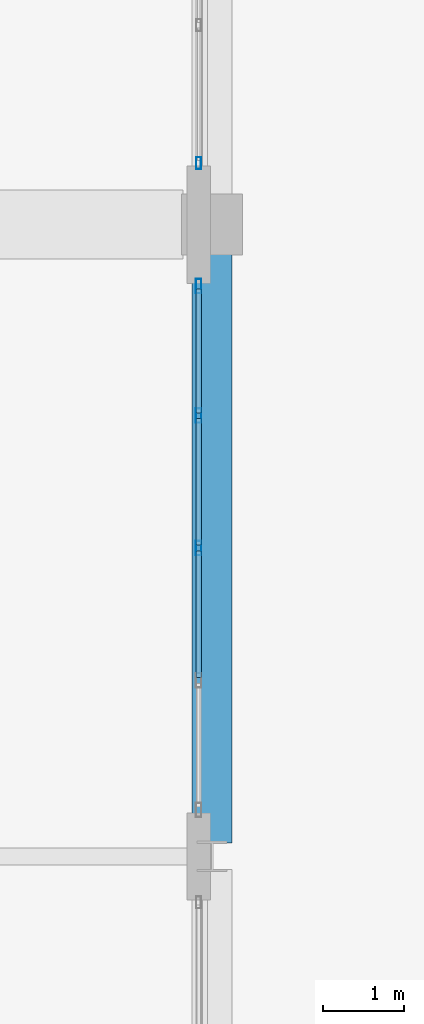
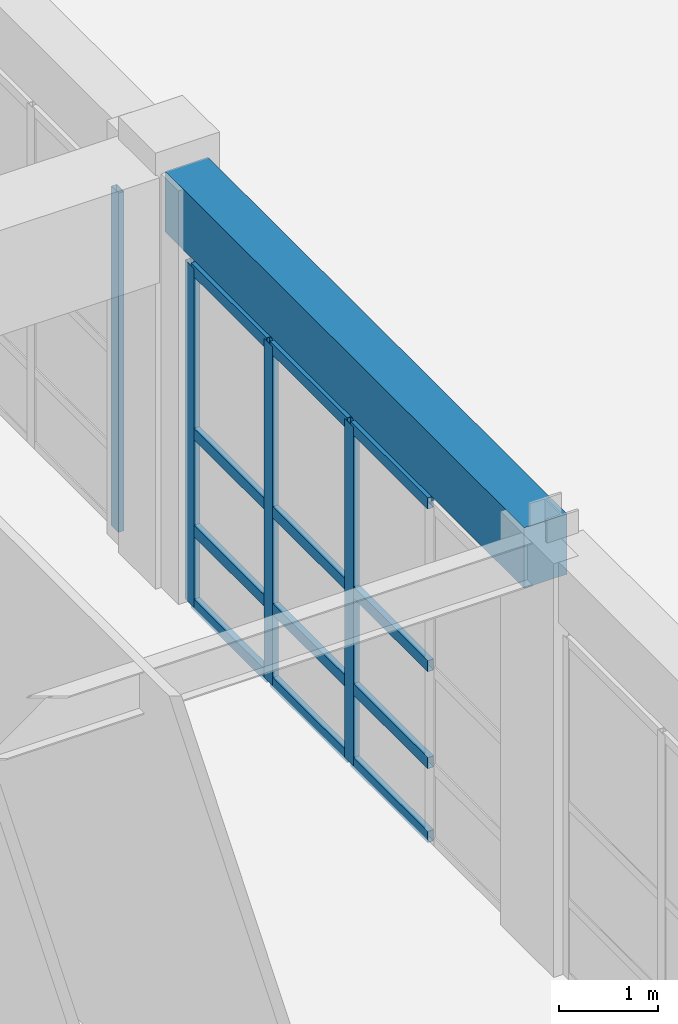
# One storey, part 20 of 148: 16 members, 1 beam, 2 elements without a shape of their own.
"""IFC4 building model written with IfcOpenShell, lengths in metres."""

from ifc_helpers import new_model, si_unit, direction, frame, origin, origin_2d, place, context, subcontext, project, spatial, rectangle, hollow_rectangle, extrude, material, layer, layer_set, material_profile, profile_set, type_object, element, aggregate, save


model = new_model("IFC4")

# Units and contexts
model_context = context("Model", 3, precision=1e-05, world=origin(), true_north=direction((0.0, 1.0)))
body_context = subcontext(model_context, "Body", "Model", "MODEL_VIEW")
ifc_project = project(units=[si_unit("LENGTHUNIT", "METRE"), si_unit("AREAUNIT", "SQUARE_METRE"), si_unit("VOLUMEUNIT", "CUBIC_METRE"), si_unit("PLANEANGLEUNIT", "RADIAN"), si_unit("MASSUNIT", "GRAM", prefix="KILO")], contexts=[model_context])

# Site, building, storey
site_placement = place(None, origin())
site = spatial("IfcSite", under=ifc_project, at=site_placement, CompositionType="ELEMENT")
building_placement = place(site_placement, origin())
building = spatial("IfcBuilding", under=site, at=building_placement, Name="Quendrovan Civic Courthouse", CompositionType="ELEMENT")
storey_placement = place(building_placement, origin())
storey = spatial("IfcBuildingStorey", under=building, at=storey_placement, Name="L01", CompositionType="ELEMENT", Elevation=0.0)

# Beam
ifc_material_1 = material(Name="Concrete C40/50", Category="concrete")
ifc_material_profile_1 = material_profile(ifc_material_1, rectangle(XDim=0.5, YDim=0.75, at=origin_2d()), Name="RC-BM-500x750")
ifc_profile_set_1 = profile_set([ifc_material_profile_1], Name="Concrete C40/50")
beam_type = type_object("IfcBeamType", Name="BM-RC750", PredefinedType="SPANDREL", material=ifc_profile_set_1)
beam_placement = place(storey_placement, frame((16.800048828125, 23.56591796875, 4.7451171875), z_axis=(0.0, 1.0, 0.0), x_axis=(-1.0, 0.0, 0.0)))
element("IfcBeam", 1, at=beam_placement, inside=storey, type_object=beam_type, Name="L01 Girder Y0390", PredefinedType="SPANDREL", context=body_context, shape_type="SweptSolid", body=[
    extrude(rectangle(XDim=0.5, YDim=0.75, at=origin_2d()), origin(), (0.0, 0.0, 1.0), 7.279052734375),
])

# Curtain wall, members
ifc_material_2 = material(Name="Bronze anodised aluminium and low-E glass", Category="aluminium")
ifc_layer_1 = layer(ifc_material_2, 0.179931640625, Name="Bronze anodised aluminium and low-E glass")
ifc_layer_set_1 = layer_set([ifc_layer_1], Name="Bronze anodised aluminium and low-E glass")
curtain_wall_type_1 = type_object("IfcCurtainWallType", Name="CW-U65x42", PredefinedType="USERDEFINED", material=ifc_layer_set_1)
curtain_wall_1_placement = place(storey_placement, origin())
curtain_wall_1 = element("IfcCurtainWall", 2, at=curtain_wall_1_placement, inside=storey, type_object=curtain_wall_type_1, Name="L01 Unitised Hurricane Curtain Wall CW-002", ObjectType="UNITISED CURTAIN WALL", PredefinedType="USERDEFINED")
ifc_material_3 = material(Name="Bronze anodised aluminium", Category="aluminium")
ifc_material_profile_2 = material_profile(ifc_material_3, hollow_rectangle(XDim=0.070068359375, YDim=0.179931640625, WallThickness=0.00390625, at=origin_2d()), Name="CW-MULL-70x180")
ifc_profile_set_2 = profile_set([ifc_material_profile_2], Name="Bronze anodised aluminium")
member_type_1 = type_object("IfcMemberType", Name="CW-MULL-A", PredefinedType="MULLION", material=ifc_profile_set_2)
member_1_placement = place(storey_placement, frame((16.635009765625, 30.43994140625, 0.0), z_axis=(0.0, 0.0, 1.0), x_axis=(1.0, 0.0, 0.0)))
member_1 = element("IfcMember", 3, at=member_1_placement, type_object=member_type_1, Name="CW-002 mullion 1", PredefinedType="MULLION", context=body_context, shape_type="SweptSolid", body=[
    extrude(hollow_rectangle(XDim=0.070068359375, YDim=0.179931640625, WallThickness=0.00390625, at=origin_2d()), origin(), (0.0, 0.0, 1.0), 4.199951171875),
])
member_2_placement = place(storey_placement, frame((16.635009765625, 28.840576171875, 0.0), z_axis=(0.0, 0.0, 1.0), x_axis=(1.0, 0.0, 0.0)))
member_2 = element("IfcMember", 4, at=member_2_placement, type_object=member_type_1, Name="CW-002 mullion 2", PredefinedType="MULLION", context=body_context, shape_type="SweptSolid", body=[
    extrude(hollow_rectangle(XDim=0.070068359375, YDim=0.179931640625, WallThickness=0.00390625, at=origin_2d()), origin(), (0.0, 0.0, 1.0), 4.199951171875),
])
member_3_placement = place(storey_placement, frame((16.635009765625, 27.2060546875, 0.0), z_axis=(0.0, 0.0, 1.0), x_axis=(1.0, 0.0, 0.0)))
member_3 = element("IfcMember", 5, at=member_3_placement, type_object=member_type_1, Name="CW-002 mullion 3", PredefinedType="MULLION", context=body_context, shape_type="SweptSolid", body=[
    extrude(hollow_rectangle(XDim=0.070068359375, YDim=0.179931640625, WallThickness=0.00390625, at=origin_2d()), origin(), (0.0, 0.0, 1.0), 4.199951171875),
])

# Curtain wall, member
ifc_layer_2 = layer(ifc_material_2, 0.179931640625, Name="Bronze anodised aluminium and low-E glass")
ifc_layer_set_2 = layer_set([ifc_layer_2], Name="Bronze anodised aluminium and low-E glass")
curtain_wall_type_2 = type_object("IfcCurtainWallType", Name="CW-U35x42", PredefinedType="USERDEFINED", material=ifc_layer_set_2)
curtain_wall_2_placement = place(storey_placement, origin())
curtain_wall_2 = element("IfcCurtainWall", 6, at=curtain_wall_2_placement, inside=storey, type_object=curtain_wall_type_2, Name="L01 Unitised Hurricane Curtain Wall CW-001", ObjectType="UNITISED CURTAIN WALL", PredefinedType="USERDEFINED")
ifc_material_profile_3 = material_profile(ifc_material_3, hollow_rectangle(XDim=0.06494140625, YDim=0.14990234375, WallThickness=0.00390625, at=origin_2d()), Name="CW-MULL-65x150")
ifc_profile_set_3 = profile_set([ifc_material_profile_3], Name="Bronze anodised aluminium")
member_type_2 = type_object("IfcMemberType", Name="CW-MULL-B", PredefinedType="MULLION", material=ifc_profile_set_3)
member_4_placement = place(storey_placement, frame((16.635009765625, 31.95751953125, 0.0), z_axis=(0.0, 0.0, 1.0), x_axis=(1.0, 0.0, 0.0)))
member_4 = element("IfcMember", 7, at=member_4_placement, type_object=member_type_2, Name="CW-001 mullion 3", PredefinedType="MULLION", context=body_context, shape_type="SweptSolid", body=[
    extrude(hollow_rectangle(XDim=0.06494140625, YDim=0.14990234375, WallThickness=0.00390625, at=origin_2d()), origin(), (0.0, 0.0, 1.0), 4.199951171875),
])
aggregate(curtain_wall_2, [member_4])

# Member
ifc_material_profile_4 = material_profile(ifc_material_3, hollow_rectangle(XDim=0.070068359375, YDim=0.139892578125, WallThickness=0.00390625, at=origin_2d()), Name="CW-TRAN-70x140")
ifc_profile_set_4 = profile_set([ifc_material_profile_4], Name="Bronze anodised aluminium")
member_type_3 = type_object("IfcMemberType", Name="CW-TRAN-A", PredefinedType="USERDEFINED", material=ifc_profile_set_4)
member_5_placement = place(storey_placement, frame((16.635009765625, 30.405029296875, 0.034912109375), z_axis=(0.0, -1.0, 0.0), x_axis=(1.0, 0.0, 0.0)))
member_5 = element("IfcMember", 8, at=member_5_placement, type_object=member_type_3, Name="CW-002 transom 1.1", ObjectType="TRANSOM", PredefinedType="USERDEFINED", context=body_context, shape_type="SweptSolid", body=[
    extrude(hollow_rectangle(XDim=0.070068359375, YDim=0.139892578125, WallThickness=0.00390625, at=origin_2d()), origin(), (0.0, 0.0, 1.0), 1.529541015625),
])

member_6_placement = place(storey_placement, frame((16.635009765625, 30.405029296875, 0.949951171875), z_axis=(0.0, -1.0, 0.0), x_axis=(1.0, 0.0, 0.0)))
member_6 = element("IfcMember", 9, at=member_6_placement, type_object=member_type_3, Name="CW-002 transom 1.2", ObjectType="TRANSOM", PredefinedType="USERDEFINED", context=body_context, shape_type="SweptSolid", body=[
    extrude(hollow_rectangle(XDim=0.070068359375, YDim=0.139892578125, WallThickness=0.00390625, at=origin_2d()), origin(), (0.0, 0.0, 1.0), 1.529541015625),
])

member_7_placement = place(storey_placement, frame((16.635009765625, 30.405029296875, 2.14990234375), z_axis=(0.0, -1.0, 0.0), x_axis=(1.0, 0.0, 0.0)))
member_7 = element("IfcMember", 10, at=member_7_placement, type_object=member_type_3, Name="CW-002 transom 1.3", ObjectType="TRANSOM", PredefinedType="USERDEFINED", context=body_context, shape_type="SweptSolid", body=[
    extrude(hollow_rectangle(XDim=0.070068359375, YDim=0.139892578125, WallThickness=0.00390625, at=origin_2d()), origin(), (0.0, 0.0, 1.0), 1.529541015625),
])

member_8_placement = place(storey_placement, frame((16.635009765625, 30.405029296875, 4.1650390625), z_axis=(0.0, -1.0, 0.0), x_axis=(1.0, 0.0, 0.0)))
member_8 = element("IfcMember", 11, at=member_8_placement, type_object=member_type_3, Name="CW-002 transom 1.4", ObjectType="TRANSOM", PredefinedType="USERDEFINED", context=body_context, shape_type="SweptSolid", body=[
    extrude(hollow_rectangle(XDim=0.070068359375, YDim=0.139892578125, WallThickness=0.00390625, at=origin_2d()), origin(), (0.0, 0.0, 1.0), 1.529541015625),
])

member_9_placement = place(storey_placement, frame((16.635009765625, 28.805419921875, 0.034912109375), z_axis=(0.0, -1.0, 0.0), x_axis=(1.0, 0.0, 0.0)))
member_9 = element("IfcMember", 12, at=member_9_placement, type_object=member_type_3, Name="CW-002 transom 2.1", ObjectType="TRANSOM", PredefinedType="USERDEFINED", context=body_context, shape_type="SweptSolid", body=[
    extrude(hollow_rectangle(XDim=0.070068359375, YDim=0.139892578125, WallThickness=0.00390625, at=origin_2d()), origin(), (0.0, 0.0, 1.0), 1.564453125),
])

member_10_placement = place(storey_placement, frame((16.635009765625, 28.805419921875, 0.949951171875), z_axis=(0.0, -1.0, 0.0), x_axis=(1.0, 0.0, 0.0)))
member_10 = element("IfcMember", 13, at=member_10_placement, type_object=member_type_3, Name="CW-002 transom 2.2", ObjectType="TRANSOM", PredefinedType="USERDEFINED", context=body_context, shape_type="SweptSolid", body=[
    extrude(hollow_rectangle(XDim=0.070068359375, YDim=0.139892578125, WallThickness=0.00390625, at=origin_2d()), origin(), (0.0, 0.0, 1.0), 1.564453125),
])

member_11_placement = place(storey_placement, frame((16.635009765625, 28.805419921875, 2.14990234375), z_axis=(0.0, -1.0, 0.0), x_axis=(1.0, 0.0, 0.0)))
member_11 = element("IfcMember", 14, at=member_11_placement, type_object=member_type_3, Name="CW-002 transom 2.3", ObjectType="TRANSOM", PredefinedType="USERDEFINED", context=body_context, shape_type="SweptSolid", body=[
    extrude(hollow_rectangle(XDim=0.070068359375, YDim=0.139892578125, WallThickness=0.00390625, at=origin_2d()), origin(), (0.0, 0.0, 1.0), 1.564453125),
])

member_12_placement = place(storey_placement, frame((16.635009765625, 28.805419921875, 4.1650390625), z_axis=(0.0, -1.0, 0.0), x_axis=(1.0, 0.0, 0.0)))
member_12 = element("IfcMember", 15, at=member_12_placement, type_object=member_type_3, Name="CW-002 transom 2.4", ObjectType="TRANSOM", PredefinedType="USERDEFINED", context=body_context, shape_type="SweptSolid", body=[
    extrude(hollow_rectangle(XDim=0.070068359375, YDim=0.139892578125, WallThickness=0.00390625, at=origin_2d()), origin(), (0.0, 0.0, 1.0), 1.564453125),
])

member_13_placement = place(storey_placement, frame((16.635009765625, 27.1708984375, 0.034912109375), z_axis=(0.0, -1.0, 0.0), x_axis=(1.0, 0.0, 0.0)))
member_13 = element("IfcMember", 16, at=member_13_placement, type_object=member_type_3, Name="CW-002 transom 3.1", ObjectType="TRANSOM", PredefinedType="USERDEFINED", context=body_context, shape_type="SweptSolid", body=[
    extrude(hollow_rectangle(XDim=0.070068359375, YDim=0.139892578125, WallThickness=0.00390625, at=origin_2d()), origin(), (0.0, 0.0, 1.0), 1.564453125),
])

member_14_placement = place(storey_placement, frame((16.635009765625, 27.1708984375, 0.949951171875), z_axis=(0.0, -1.0, 0.0), x_axis=(1.0, 0.0, 0.0)))
member_14 = element("IfcMember", 17, at=member_14_placement, type_object=member_type_3, Name="CW-002 transom 3.2", ObjectType="TRANSOM", PredefinedType="USERDEFINED", context=body_context, shape_type="SweptSolid", body=[
    extrude(hollow_rectangle(XDim=0.070068359375, YDim=0.139892578125, WallThickness=0.00390625, at=origin_2d()), origin(), (0.0, 0.0, 1.0), 1.564453125),
])

member_15_placement = place(storey_placement, frame((16.635009765625, 27.1708984375, 2.14990234375), z_axis=(0.0, -1.0, 0.0), x_axis=(1.0, 0.0, 0.0)))
member_15 = element("IfcMember", 18, at=member_15_placement, type_object=member_type_3, Name="CW-002 transom 3.3", ObjectType="TRANSOM", PredefinedType="USERDEFINED", context=body_context, shape_type="SweptSolid", body=[
    extrude(hollow_rectangle(XDim=0.070068359375, YDim=0.139892578125, WallThickness=0.00390625, at=origin_2d()), origin(), (0.0, 0.0, 1.0), 1.564453125),
])

member_16_placement = place(storey_placement, frame((16.635009765625, 27.1708984375, 4.1650390625), z_axis=(0.0, -1.0, 0.0), x_axis=(1.0, 0.0, 0.0)))
member_16 = element("IfcMember", 19, at=member_16_placement, type_object=member_type_3, Name="CW-002 transom 3.4", ObjectType="TRANSOM", PredefinedType="USERDEFINED", context=body_context, shape_type="SweptSolid", body=[
    extrude(hollow_rectangle(XDim=0.070068359375, YDim=0.139892578125, WallThickness=0.00390625, at=origin_2d()), origin(), (0.0, 0.0, 1.0), 1.564453125),
])

aggregate(curtain_wall_1, [member_1, member_2, member_3, member_5, member_6, member_7, member_8, member_9, member_10, member_11, member_12, member_13, member_14, member_15, member_16])

save(model, "model.ifc")
